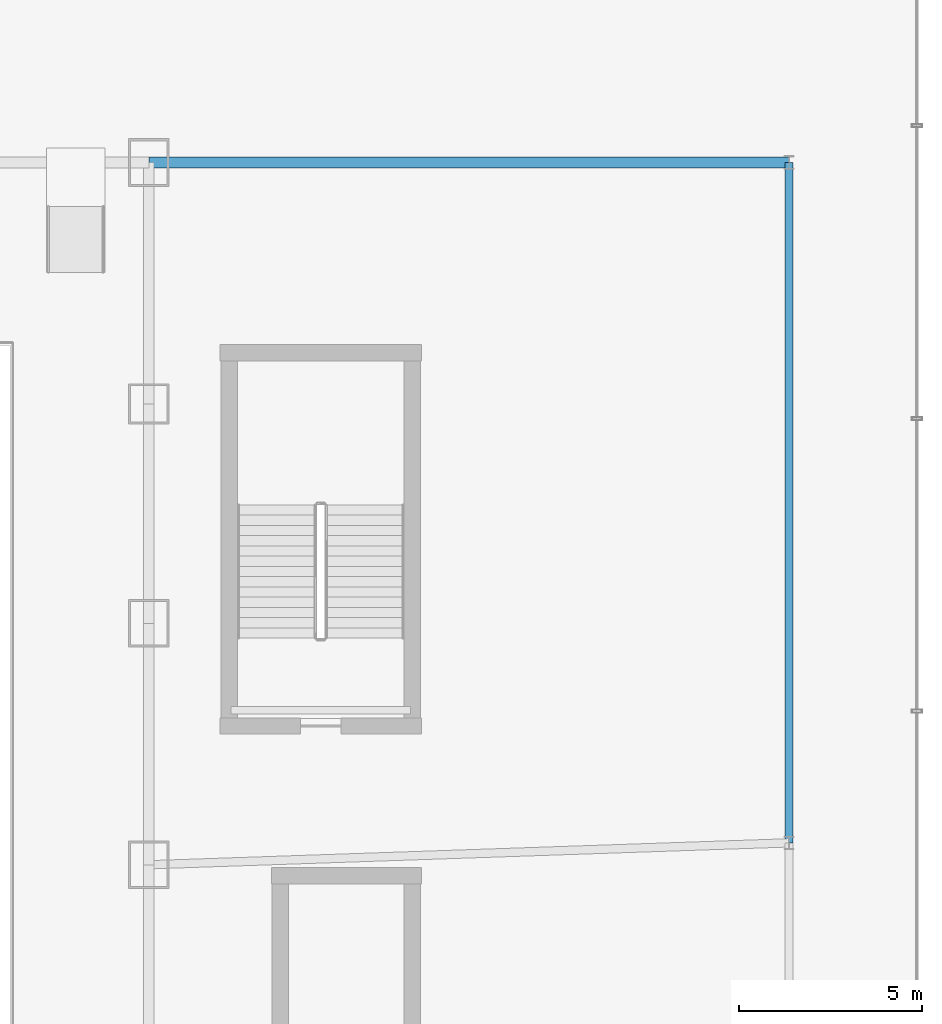
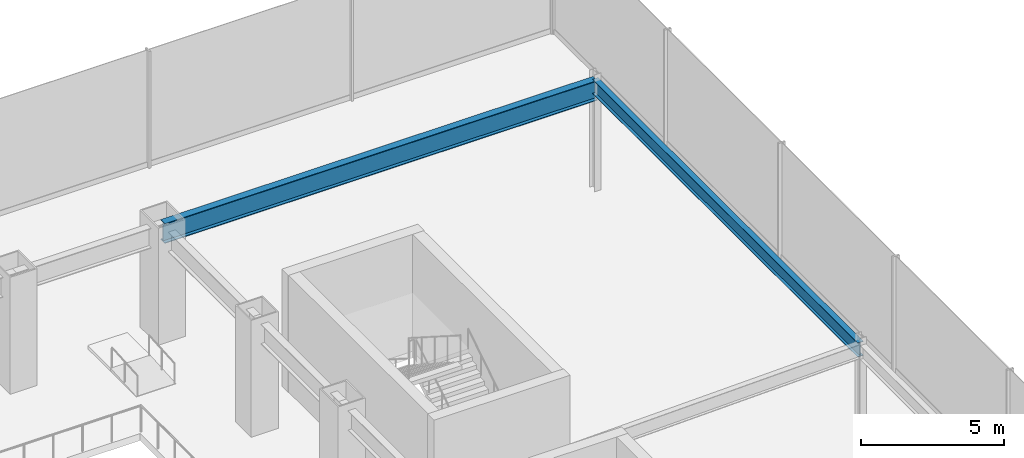
# One storey, part 24 of 39: 2 beams.
"""IFC4 building model written with IfcOpenShell, lengths in metres."""

from ifc_helpers import new_model, si_unit, derived_unit, direction, frame, origin, origin_2d, place, context, subcontext, project, spatial, i_section, extrude, source, transform, mapped, material, material_profile, profile_set, type_object, element, save


model = new_model("IFC4")

# Units and contexts
model_context = context("Model", 3, precision=1e-05, world=origin(), true_north=direction((0.0, 1.0)))
body_context = subcontext(model_context, "Body", "Model", "MODEL_VIEW")
ifc_project = project(units=[si_unit("LENGTHUNIT", "METRE"), si_unit("AREAUNIT", "SQUARE_METRE"), si_unit("VOLUMEUNIT", "CUBIC_METRE"), si_unit("PLANEANGLEUNIT", "RADIAN"), si_unit("MASSUNIT", "GRAM", prefix="KILO"), derived_unit("THERMALTRANSMITTANCEUNIT", [(si_unit("POWERUNIT", "WATT"), 1), (si_unit("LENGTHUNIT", "METRE"), -2), (si_unit("THERMODYNAMICTEMPERATUREUNIT", "KELVIN"), -1)])], contexts=[model_context])

# Site, building, storey
site_placement = place(None, origin())
site = spatial("IfcSite", under=ifc_project, at=site_placement, CompositionType="ELEMENT")
building_placement = place(site_placement, origin())
building = spatial("IfcBuilding", under=site, at=building_placement, Name="Skarnbrae Concourse Arena and Tower", CompositionType="ELEMENT")
storey_placement = place(building_placement, frame((0.0, 0.0, 16.0)))
storey = spatial("IfcBuildingStorey", under=building, at=storey_placement, Name="L03", CompositionType="ELEMENT", Elevation=16.0)

# Beams
ifc_material = material(Name="Steel CSA G40.21 350W", Category="steel")
ifc_material_profile_1 = material_profile(ifc_material, i_section(OverallWidth=0.2939453125, OverallDepth=0.85107421875, WebThickness=0.01611328125, FlangeThickness=0.02685546875, at=origin_2d()), Name="W840X226")
ifc_profile_set_1 = profile_set([ifc_material_profile_1], Name="Steel CSA G40.21 350W")
beam_type_1 = type_object("IfcBeamType", Name="BM-GIRD-W840X226", PredefinedType="BEAM", material=ifc_profile_set_1)
shared_shape_1 = source(origin(), body_context, "Body", "SweptSolid", [
    extrude(i_section(OverallWidth=0.2939453125, OverallDepth=0.85107421875, WebThickness=0.01611328125, FlangeThickness=0.02685546875, at=origin_2d()), origin(), (0.0, 0.0, 1.0), 17.5),
])
beam_1_placement = place(storey_placement, frame((61.0, 47.0, 4.2744140625), z_axis=(1.0, 0.0, 0.0), x_axis=(0.0, 1.0, 0.0)))
element("IfcBeam", 1, at=beam_1_placement, inside=storey, type_object=beam_type_1, Name="L03 Podium north girder 10", PredefinedType="BEAM", context=body_context, shape_type="MappedRepresentation", body=[
    mapped(shared_shape_1, transform((0.0, 0.0, 0.0))),
])
ifc_material_profile_2 = material_profile(ifc_material, i_section(OverallWidth=0.22802734375, OverallDepth=0.60791015625, WebThickness=0.01123046875, FlangeThickness=0.017333984375, at=origin_2d()), Name="W610X113")
ifc_profile_set_2 = profile_set([ifc_material_profile_2], Name="Steel CSA G40.21 350W")
beam_type_2 = type_object("IfcBeamType", Name="BM-GIRD-W610X113", PredefinedType="BEAM", material=ifc_profile_set_2)
shared_shape_2 = source(origin(), body_context, "Body", "SweptSolid", [
    extrude(i_section(OverallWidth=0.22802734375, OverallDepth=0.60791015625, WebThickness=0.01123046875, FlangeThickness=0.017333984375, at=origin_2d()), origin(), (0.0, 0.0, 1.0), 18.60009765625),
])
beam_2_placement = place(storey_placement, frame((78.5, 28.39990234375, 4.39599609375), z_axis=(0.0, 1.0, 0.0), x_axis=(-1.0, 0.0, 0.0)))
element("IfcBeam", 2, at=beam_2_placement, inside=storey, type_object=beam_type_2, Name="L03 Podium outer east girder 3", PredefinedType="BEAM", context=body_context, shape_type="MappedRepresentation", body=[
    mapped(shared_shape_2, transform((0.0, 0.0, 0.0))),
])

save(model, "model.ifc")
